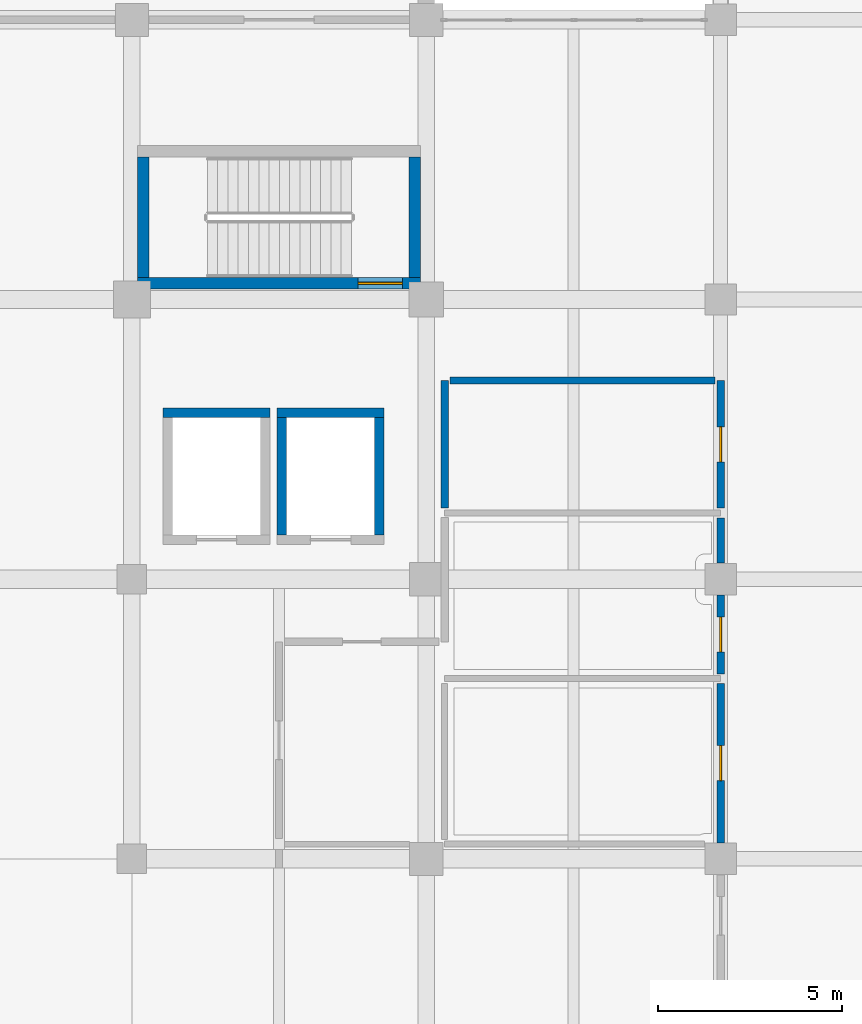
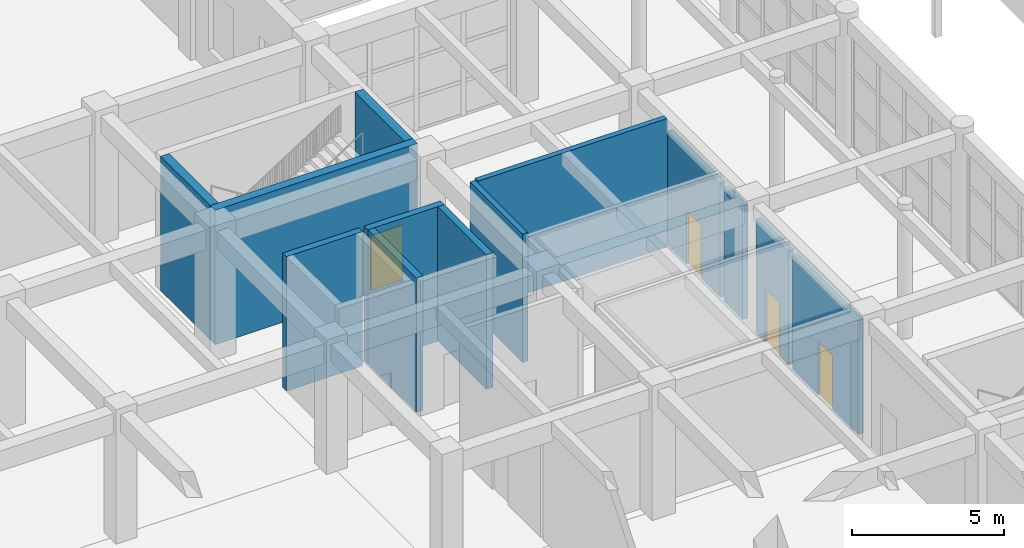
# One storey, part 74 of 95: 13 walls, 4 doors, 4 openings.
"""IFC4 building model written with IfcOpenShell, lengths in metres."""

import ifcopenshell
import ifcopenshell.guid

model = None  # the IFC model being written
_history = None  # IfcOwnerHistory: only IFC2X3 demands one
_inside = {}  # id of a spatial element -> (the spatial element, [elements in it])
_under = {}  # id of a project, library or spatial element -> (it, [spatial elements below it])
_declared = {}  # id of a project -> (the project, [libraries it declares])
_typed = {}  # id of a type object -> (the type object, [elements of that type])
_made_of = {}  # id of a material, layer set ... -> (it, [elements and type objects made of it])


def new_model(schema):
    """Start an empty IFC model of exactly this schema.

    Asked for "IFC4X3", IfcOpenShell would pick the latest addendum, in which some entities
    have other attributes; the version numbers below select the first issue.
    IFC2X3 requires an IfcOwnerHistory on every rooted entity: one is made here for all.
    """
    global model, _history
    if schema == "IFC4X3":
        model = ifcopenshell.file(schema_version=(4, 3, 0, 0))
    else:
        model = ifcopenshell.file(schema=schema)
    _inside.clear()
    _under.clear()
    _declared.clear()
    _typed.clear()
    _made_of.clear()
    _history = None
    if model.schema == "IFC2X3":
        org = make("IfcOrganization", Name="unknown")
        user = make(
            "IfcPersonAndOrganization",
            ThePerson=make("IfcPerson", FamilyName="unknown"),
            TheOrganization=org,
        )
        app = make(
            "IfcApplication",
            ApplicationDeveloper=org,
            Version="unknown",
            ApplicationFullName="unknown",
            ApplicationIdentifier="unknown",
        )
        _history = make(
            "IfcOwnerHistory",
            OwningUser=user,
            OwningApplication=app,
            ChangeAction="ADDED",
            CreationDate=0,
        )
    return model


def make(cls, **values):
    """One entity of the class cls with the attributes given. An attribute that is None is left unset."""
    return model.create_entity(
        cls, **{name: value for name, value in values.items() if value is not None}
    )


def rooted(cls, **values):
    """An entity with a GlobalId (a new one), such as an element, a storey or a relation."""
    return make(cls, GlobalId=ifcopenshell.guid.new(), OwnerHistory=_history, **values)


def si_unit(unit_type, name, prefix=None):
    """IfcSIUnit, for example si_unit("LENGTHUNIT", "METRE", prefix="MILLI")."""
    return make("IfcSIUnit", UnitType=unit_type, Prefix=prefix, Name=name)


def assignment(units):
    """IfcUnitAssignment: the units of a project."""
    return None if units is None else make("IfcUnitAssignment", Units=units)


def point(xyz):
    """IfcCartesianPoint."""
    return None if xyz is None else make("IfcCartesianPoint", Coordinates=xyz)


def direction(xyz):
    """IfcDirection."""
    return None if xyz is None else make("IfcDirection", DirectionRatios=xyz)


def frame(location, z_axis=None, x_axis=None):
    """IfcAxis2Placement3D, a coordinate frame: its origin and axes. An axis left out is left unset."""
    return make(
        "IfcAxis2Placement3D",
        Location=point(location),
        Axis=direction(z_axis),
        RefDirection=direction(x_axis),
    )


def frame_2d(location, x_axis=None):
    """IfcAxis2Placement2D, a coordinate frame in the plane: its origin and x axis."""
    return make(
        "IfcAxis2Placement2D", Location=point(location), RefDirection=direction(x_axis)
    )


def origin():
    """The frame at (0, 0, 0) with its axes left unset."""
    return frame((0.0, 0.0, 0.0))


def place(relative_to, where):
    """IfcLocalPlacement: puts the frame where relative to a parent placement (None: the world)."""
    return make(
        "IfcLocalPlacement", PlacementRelTo=relative_to, RelativePlacement=where
    )


def context(
    kind, dimensions, precision=None, world=None, true_north=None, identifier=None
):
    """IfcGeometricRepresentationContext, for example the 3D "Model" context."""
    return make(
        "IfcGeometricRepresentationContext",
        ContextIdentifier=identifier,
        ContextType=kind,
        CoordinateSpaceDimension=dimensions,
        Precision=precision,
        WorldCoordinateSystem=world,
        TrueNorth=true_north,
    )


def subcontext(parent, identifier, kind, view, scale=None):
    """IfcGeometricRepresentationSubContext, for example "Body" below "Model"."""
    return make(
        "IfcGeometricRepresentationSubContext",
        ContextIdentifier=identifier,
        ContextType=kind,
        ParentContext=parent,
        TargetScale=scale,
        TargetView=view,
    )


def project(units=None, contexts=None):
    """IfcProject with its units and contexts."""
    return rooted(
        "IfcProject",
        Name="project",
        RepresentationContexts=contexts,
        UnitsInContext=assignment(units),
    )


def spatial(cls, under=None, at=None, **own):
    """A site, building, storey or space (cls), placed at a placement, below another one or the project."""
    s = rooted(cls, ObjectPlacement=at, **own)
    if under is not None:
        _under.setdefault(under.id(), (under, []))[1].append(s)
    return s


def profile(cls, at=None, kind="AREA", **sizes):
    """A parametric profile (cls). Its sizes go by their IFC names, for example OverallWidth=200.0."""
    return make(cls, ProfileType=kind, Position=at, **sizes)


def rectangle(**sizes):
    """IfcRectangleProfileDef."""
    return profile("IfcRectangleProfileDef", **sizes)


def extrude(swept, where, along, depth):
    """IfcExtrudedAreaSolid: the profile swept, set in the frame where, extruded along a direction by depth."""
    return make(
        "IfcExtrudedAreaSolid",
        SweptArea=swept,
        Position=where,
        ExtrudedDirection=direction(along),
        Depth=depth,
    )


def shape(context_of_items, identifier, shape_type, items):
    """IfcShapeRepresentation: the items that make up one representation, for example the "Body"."""
    return make(
        "IfcShapeRepresentation",
        ContextOfItems=context_of_items,
        RepresentationIdentifier=identifier,
        RepresentationType=shape_type,
        Items=items,
    )


def material(Name=None, Category=None):
    """IfcMaterial."""
    return make("IfcMaterial", Name=Name, Category=Category)


def layer(
    of_material, thickness, ventilated=None, Name=None, Category=None, Priority=None
):
    """IfcMaterialLayer: one layer of a wall or slab, of a material (None: an air gap)."""
    return make(
        "IfcMaterialLayer",
        Material=of_material,
        LayerThickness=thickness,
        IsVentilated=ventilated,
        Name=Name,
        Category=Category,
        Priority=Priority,
    )


def layer_set(layers, Name=None):
    """IfcMaterialLayerSet."""
    return make("IfcMaterialLayerSet", MaterialLayers=layers, LayerSetName=Name)


def made_of(thing, what):
    """Note that an element or type object is made of a material, layer set ...; save() writes the relation."""
    if what is not None:
        _made_of.setdefault(what.id(), (what, []))[1].append(thing)
    return thing


def type_object(cls, material=None, **own):
    """A type object (cls), such as IfcWallType, which elements share."""
    return made_of(rooted(cls, **own), material)


def element(
    cls,
    number,
    at=None,
    inside=None,
    cuts=None,
    type_object=None,
    material=None,
    context=None,
    identifier="Body",
    shape_type=None,
    held_by="IfcProductDefinitionShape",
    body=None,
    shapes=None,
    **own,
):
    """One element of the class cls, such as IfcWall. Its Tag is "e" and its number.

    at: its placement. inside: the storey or other place that contains it. cuts: it is an
    opening in that element (IfcRelVoidsElement). A single representation is given by context,
    identifier, shape_type and body (its items); several are given by shapes. held_by: the class
    of the entity that holds the representations. save() writes the other relations.
    """
    e = rooted(cls, Tag="e%d" % number, ObjectPlacement=at, **own)
    if body is not None:
        shapes = [shape(context, identifier, shape_type, body)]
    if shapes is not None:
        e.Representation = make(held_by, Representations=shapes)
    if inside is not None:
        _inside.setdefault(inside.id(), (inside, []))[1].append(e)
    if cuts is not None:
        rooted(
            "IfcRelVoidsElement", RelatingBuildingElement=cuts, RelatedOpeningElement=e
        )
    if type_object is not None:
        _typed.setdefault(type_object.id(), (type_object, []))[1].append(e)
    return made_of(e, material)


def fill(opening, filler):
    """IfcRelFillsElement: the door or window that sits in an opening."""
    return rooted(
        "IfcRelFillsElement",
        RelatingOpeningElement=opening,
        RelatedBuildingElement=filler,
    )


def aggregate(whole, parts):
    """IfcRelAggregates: a whole, such as a stair, and the parts it consists of."""
    return rooted("IfcRelAggregates", RelatingObject=whole, RelatedObjects=parts)


def save(model, path):
    """Write the relations noted so far, then the file.

    IfcRelAggregates (storeys below a building ...), IfcRelContainedInSpatialStructure (elements
    in a storey), IfcRelDefinesByType, IfcRelAssociatesMaterial and IfcRelDeclares: one each for
    every whole, place, type object, material and project.
    """
    for whole, parts in _under.values():
        aggregate(whole, parts)
    for where, things in _inside.values():
        rooted(
            "IfcRelContainedInSpatialStructure",
            RelatedElements=things,
            RelatingStructure=where,
        )
    for kind, things in _typed.values():
        rooted("IfcRelDefinesByType", RelatedObjects=things, RelatingType=kind)
    for what, things in _made_of.values():
        rooted("IfcRelAssociatesMaterial", RelatedObjects=things, RelatingMaterial=what)
    for by, libraries in _declared.values():
        rooted("IfcRelDeclares", RelatingContext=by, RelatedDefinitions=libraries)
    model.write(path)


model = new_model("IFC4")

# Units and contexts
model_context = context("Model", 3, precision=1e-05, world=origin(), true_north=direction((0.0, 1.0)))
body_context = subcontext(model_context, "Body", "Model", "MODEL_VIEW")
ifc_project = project(units=[si_unit("LENGTHUNIT", "METRE"), si_unit("AREAUNIT", "SQUARE_METRE"), si_unit("VOLUMEUNIT", "CUBIC_METRE"), si_unit("PLANEANGLEUNIT", "RADIAN"), si_unit("MASSUNIT", "GRAM", prefix="KILO")], contexts=[model_context])

# Site, building, storey
site_placement = place(None, origin())
site = spatial("IfcSite", under=ifc_project, at=site_placement, CompositionType="ELEMENT")
building_placement = place(site_placement, origin())
building = spatial("IfcBuilding", under=site, at=building_placement, Name="Zantavel Square City Hall", CompositionType="ELEMENT")
storey_placement = place(building_placement, origin())
storey = spatial("IfcBuildingStorey", under=building, at=storey_placement, Name="L01", CompositionType="ELEMENT", Elevation=0.0)

# Wall, opening, door
ifc_material_1 = material(Name="Concrete C40/50", Category="concrete")
ifc_layer_1 = layer(ifc_material_1, 0.320068359375, Name="Concrete C40/50")
ifc_layer_set_1 = layer_set([ifc_layer_1], Name="Concrete C40/50")
wall_type_1 = type_object("IfcWallType", Name="Core Shear Wall RC 320mm C40/50", PredefinedType="SHEAR", material=ifc_layer_set_1)
wall_1_placement = place(storey_placement, frame((103.85009765625, 61.239990234375, 0.0), z_axis=(0.0, 0.0, 1.0), x_axis=(-1.0, 0.0, 0.0)))
wall_1 = element("IfcWall", 1, at=wall_1_placement, inside=storey, type_object=wall_type_1, Name="L01 Exit Stair 6 Central East Core Shear Wall South", PredefinedType="SHEAR", context=body_context, shape_type="SweptSolid", body=[
    extrude(rectangle(XDim=7.7001953125, YDim=0.320068359375, at=frame_2d((3.85009765625, 0.0))), origin(), (0.0, 0.0, 1.0), 5.39990234375),
])
opening_1_placement = place(wall_1_placement, frame((0.5, 0.0, 0.0)))
opening_1 = element("IfcOpeningElement", 2, at=opening_1_placement, cuts=wall_1, Name="Opening SD-027", PredefinedType="OPENING", context=body_context, shape_type="SweptSolid", body=[
    extrude(rectangle(XDim=1.199951171875, YDim=2.199951171875, at=frame_2d((0.60009765625, 1.10009765625))), frame((0.0, 0.169921875, 0.0), z_axis=(0.0, -1.0, 0.0), x_axis=(1.0, 0.0, 0.0)), (0.0, 0.0, 1.0), 0.340087890625),
])
ifc_material_2 = material(Name="Steel ASTM A500 Grade B", Category="steel")
door_type_1 = type_object("IfcDoorType", Name="Enclosed Exit Stairwell Fire Door 1200x2200 FD90S", OperationType="NOTDEFINED", PredefinedType="DOOR", material=ifc_material_2)
door_1_placement = place(opening_1_placement, origin())
door_1 = element("IfcDoor", 3, at=door_1_placement, inside=storey, type_object=door_type_1, Name="L01 Exit Stair 6 Central East Core Fire Door", OperationType="SINGLE_SWING_LEFT", OverallHeight=2.199951171875, OverallWidth=1.199951171875, PredefinedType="DOOR", context=body_context, shape_type="SweptSolid", body=[
    extrude(rectangle(XDim=1.199951171875, YDim=2.199951171875, at=frame_2d((0.60009765625, 1.10009765625))), frame((0.0, 0.02490234375, 0.0), z_axis=(0.0, -1.0, 0.0), x_axis=(1.0, 0.0, 0.0)), (0.0, 0.0, 1.0), 0.050048828125),
])
fill(opening_1, door_1)

# Walls
for number, where, z_axis, x_axis, name in (
    (4, (96.31005859375, 61.39990234375, 0.0), (0.0, 0.0, 1.0), (0.0, 1.0, 0.0), "L01 Exit Stair 6 Central East Core Shear Wall West"),
    (5, (103.68994140625, 64.669921875, 0.0), (0.0, 0.0, 1.0), (0.0, -1.0, 0.0), "L01 Exit Stair 6 Central East Core Shear Wall East"),
):
    element("IfcWall", number, at=place(storey_placement, frame(where, z_axis=z_axis, x_axis=x_axis)), inside=storey, type_object=wall_type_1, Name=name, PredefinedType="SHEAR", context=body_context, shape_type="SweptSolid", body=[
        extrude(rectangle(XDim=3.27001953125, YDim=0.320068359375, at=frame_2d((1.635009765625, 0.0))), origin(), (0.0, 0.0, 1.0), 5.39990234375),
    ])

# Wall, opening, door
ifc_material_3 = material(Name="Cantera volcanic tuff stone", Category="masonry")
ifc_layer_2 = layer(ifc_material_3, 0.199951171875, Name="Cantera volcanic tuff stone")
ifc_layer_set_2 = layer_set([ifc_layer_2], Name="Cantera volcanic tuff stone")
wall_type_2 = type_object("IfcWallType", Name="Exit Corridor Rated Wall 200mm", PredefinedType="STANDARD", material=ifc_layer_set_2)
wall_2_placement = place(storey_placement, frame((112.0, 50.3701171875, 0.0), z_axis=(0.0, 0.0, 1.0), x_axis=(0.0, -1.0, 0.0)))
wall_2 = element("IfcWall", 6, at=wall_2_placement, inside=storey, type_object=wall_type_2, Name="L01 Interior Wall IW-L01-0061", PredefinedType="STANDARD", context=body_context, shape_type="SweptSolid", body=[
    extrude(rectangle(XDim=4.335205078125, YDim=0.199951171875, at=frame_2d((2.16748046875, 0.0))), origin(), (0.0, 0.0, 1.0), 4.580078125),
])
opening_2_placement = place(wall_2_placement, frame((1.6923828125, 0.0, 0.0)))
opening_2 = element("IfcOpeningElement", 7, at=opening_2_placement, cuts=wall_2, Name="Opening D-0026", PredefinedType="OPENING", context=body_context, shape_type="SweptSolid", body=[
    extrude(rectangle(XDim=0.949951171875, YDim=2.14990234375, at=frame_2d((0.47509765625, 1.074951171875))), frame((0.0, 0.10986328125, 0.0), z_axis=(0.0, -1.0, 0.0), x_axis=(1.0, 0.0, 0.0)), (0.0, 0.0, 1.0), 0.219970703125),
])
ifc_material_4 = material(Name="Solid oak hardwood", Category="wood")
door_type_2 = type_object("IfcDoorType", Name="Corridor Restroom Oak Fire Door 950x2150 FD60S", OperationType="NOTDEFINED", PredefinedType="DOOR", material=ifc_material_4)
door_2_placement = place(opening_2_placement, origin())
door_2 = element("IfcDoor", 8, at=door_2_placement, inside=storey, type_object=door_type_2, Name="L01 L01 East Mens Restroom Door", OperationType="SINGLE_SWING_RIGHT", OverallHeight=2.14990234375, OverallWidth=0.949951171875, PredefinedType="DOOR", context=body_context, shape_type="SweptSolid", body=[
    extrude(rectangle(XDim=0.949951171875, YDim=2.14990234375, at=frame_2d((0.47509765625, 1.074951171875))), frame((0.0, 0.02490234375, 0.0), z_axis=(0.0, -1.0, 0.0), x_axis=(1.0, 0.0, 0.0)), (0.0, 0.0, 1.0), 0.050048828125),
])
fill(opening_2, door_2)

# Wall
wall_3_placement = place(storey_placement, frame((112.0, 54.8701171875, 0.0), z_axis=(0.0, 0.0, 1.0), x_axis=(0.0, -1.0, 0.0)))
element("IfcWall", 9, at=wall_3_placement, inside=storey, type_object=wall_type_2, Name="L01 Interior Wall IW-L01-0064", PredefinedType="STANDARD", context=body_context, shape_type="SweptSolid", body=[
    extrude(rectangle(XDim=1.235107421875, YDim=0.199951171875, at=frame_2d((0.61767578125, 0.0))), origin(), (0.0, 0.0, 1.0), 4.580078125),
])

# Wall, opening, door
wall_4_placement = place(storey_placement, frame((112.0, 52.764892578125, 0.0), z_axis=(0.0, 0.0, 1.0), x_axis=(0.0, -1.0, 0.0)))
wall_4 = element("IfcWall", 10, at=wall_4_placement, inside=storey, type_object=wall_type_2, Name="L01 Interior Wall IW-L01-0065", PredefinedType="STANDARD", context=body_context, shape_type="SweptSolid", body=[
    extrude(rectangle(XDim=2.135009765625, YDim=0.199951171875, at=frame_2d((1.0673828125, 0.0))), origin(), (0.0, 0.0, 1.0), 4.580078125),
])
opening_3_placement = place(wall_4_placement, frame((0.592529296875, 0.0, 0.0)))
opening_3 = element("IfcOpeningElement", 11, at=opening_3_placement, cuts=wall_4, Name="Opening D-0027", PredefinedType="OPENING", context=body_context, shape_type="SweptSolid", body=[
    extrude(rectangle(XDim=0.949951171875, YDim=2.14990234375, at=frame_2d((0.47509765625, 1.074951171875))), frame((0.0, 0.10986328125, 0.0), z_axis=(0.0, -1.0, 0.0), x_axis=(1.0, 0.0, 0.0)), (0.0, 0.0, 1.0), 0.219970703125),
])
door_3_placement = place(opening_3_placement, origin())
door_3 = element("IfcDoor", 12, at=door_3_placement, inside=storey, type_object=door_type_2, Name="L01 L01 East Womens Restroom Door", OperationType="SINGLE_SWING_LEFT", OverallHeight=2.14990234375, OverallWidth=0.949951171875, PredefinedType="DOOR", context=body_context, shape_type="SweptSolid", body=[
    extrude(rectangle(XDim=0.949951171875, YDim=2.14990234375, at=frame_2d((0.47509765625, 1.074951171875))), frame((0.0, 0.02490234375, 0.0), z_axis=(0.0, -1.0, 0.0), x_axis=(1.0, 0.0, 0.0)), (0.0, 0.0, 1.0), 0.050048828125),
])
fill(opening_3, door_3)

wall_5_placement = place(storey_placement, frame((112.0, 58.60009765625, 0.0), z_axis=(0.0, 0.0, 1.0), x_axis=(0.0, -1.0, 0.0)))
wall_5 = element("IfcWall", 13, at=wall_5_placement, inside=storey, type_object=wall_type_2, Name="L01 Interior Wall IW-L01-0067", PredefinedType="STANDARD", context=body_context, shape_type="SweptSolid", body=[
    extrude(rectangle(XDim=3.47021484375, YDim=0.199951171875, at=frame_2d((1.735107421875, 0.0))), origin(), (0.0, 0.0, 1.0), 4.580078125),
])
opening_4_placement = place(wall_5_placement, frame((1.260009765625, 0.0, 0.0)))
opening_4 = element("IfcOpeningElement", 14, at=opening_4_placement, cuts=wall_5, Name="Opening D-0028", PredefinedType="OPENING", context=body_context, shape_type="SweptSolid", body=[
    extrude(rectangle(XDim=0.949951171875, YDim=2.14990234375, at=frame_2d((0.47509765625, 1.074951171875))), frame((0.0, 0.10986328125, 0.0), z_axis=(0.0, -1.0, 0.0), x_axis=(1.0, 0.0, 0.0)), (0.0, 0.0, 1.0), 0.219970703125),
])
door_4_placement = place(opening_4_placement, origin())
door_4 = element("IfcDoor", 15, at=door_4_placement, inside=storey, type_object=door_type_2, Name="L01 L01 East Accessible WC Door", OperationType="SINGLE_SWING_RIGHT", OverallHeight=2.14990234375, OverallWidth=0.949951171875, PredefinedType="DOOR", context=body_context, shape_type="SweptSolid", body=[
    extrude(rectangle(XDim=0.949951171875, YDim=2.14990234375, at=frame_2d((0.47509765625, 1.074951171875))), frame((0.0, 0.02490234375, 0.0), z_axis=(0.0, -1.0, 0.0), x_axis=(1.0, 0.0, 0.0)), (0.0, 0.0, 1.0), 0.050048828125),
])
fill(opening_4, door_4)

# Walls
wall_6_placement = place(storey_placement, frame((104.5, 55.1298828125, 0.0), z_axis=(0.0, 0.0, 1.0), x_axis=(0.0, 1.0, 0.0)))
element("IfcWall", 16, at=wall_6_placement, inside=storey, type_object=wall_type_2, Name="L01 Interior Wall IW-L01-0068", PredefinedType="STANDARD", context=body_context, shape_type="SweptSolid", body=[
    extrude(rectangle(XDim=3.47021484375, YDim=0.199951171875, at=frame_2d((1.735107421875, 0.0))), origin(), (0.0, 0.0, 1.0), 5.159912109375),
])
wall_7_placement = place(storey_placement, frame((104.64990234375, 58.60009765625, 0.0), z_axis=(0.0, 0.0, 1.0), x_axis=(1.0, 0.0, 0.0)))
element("IfcWall", 17, at=wall_7_placement, inside=storey, type_object=wall_type_2, Name="L01 Interior Wall IW-L01-0069", PredefinedType="STANDARD", context=body_context, shape_type="SweptSolid", body=[
    extrude(rectangle(XDim=7.2001953125, YDim=0.199951171875, at=frame_2d((3.60009765625, 0.0))), origin(), (0.0, 0.0, 1.0), 5.159912109375),
])
ifc_layer_3 = layer(ifc_material_1, 0.25, Name="Concrete C40/50")
ifc_layer_set_3 = layer_set([ifc_layer_3], Name="Concrete C40/50")
wall_type_3 = type_object("IfcWallType", Name="Lift Shaft Wall RC 250mm C40/50", PredefinedType="SHEAR", material=ifc_layer_set_3)
wall_8_placement = place(storey_placement, frame((96.85009765625, 57.72509765625, 0.0), z_axis=(0.0, 0.0, 1.0), x_axis=(1.0, 0.0, 0.0)))
element("IfcWall", 18, at=wall_8_placement, inside=storey, type_object=wall_type_3, Name="L01 Lift LF03 Shaft Wall North", PredefinedType="SHEAR", context=body_context, shape_type="SweptSolid", body=[
    extrude(rectangle(XDim=2.89990234375, YDim=0.25, at=frame_2d((1.449951171875, 0.0))), origin(), (0.0, 0.0, 1.0), 5.39990234375),
])
wall_9_placement = place(storey_placement, frame((100.074951171875, 54.39990234375, 0.0), z_axis=(0.0, 0.0, 1.0), x_axis=(0.0, 1.0, 0.0)))
element("IfcWall", 19, at=wall_9_placement, inside=storey, type_object=wall_type_3, Name="L01 Lift LF04 Shaft Wall West", PredefinedType="SHEAR", context=body_context, shape_type="SweptSolid", body=[
    extrude(rectangle(XDim=3.2001953125, YDim=0.25, at=frame_2d((1.60009765625, 0.0))), origin(), (0.0, 0.0, 1.0), 5.39990234375),
])
wall_10_placement = place(storey_placement, frame((99.949951171875, 57.72509765625, 0.0), z_axis=(0.0, 0.0, 1.0), x_axis=(1.0, 0.0, 0.0)))
element("IfcWall", 20, at=wall_10_placement, inside=storey, type_object=wall_type_3, Name="L01 Lift LF04 Shaft Wall North", PredefinedType="SHEAR", context=body_context, shape_type="SweptSolid", body=[
    extrude(rectangle(XDim=2.900146484375, YDim=0.25, at=frame_2d((1.4501953125, 0.0))), origin(), (0.0, 0.0, 1.0), 5.39990234375),
])
wall_11_placement = place(storey_placement, frame((102.72509765625, 57.60009765625, 0.0), z_axis=(0.0, 0.0, 1.0), x_axis=(0.0, -1.0, 0.0)))
element("IfcWall", 21, at=wall_11_placement, inside=storey, type_object=wall_type_3, Name="L01 Lift LF04 Shaft Wall East", PredefinedType="SHEAR", context=body_context, shape_type="SweptSolid", body=[
    extrude(rectangle(XDim=3.2001953125, YDim=0.25, at=frame_2d((1.60009765625, 0.0))), origin(), (0.0, 0.0, 1.0), 5.39990234375),
])

save(model, "model.ifc")
